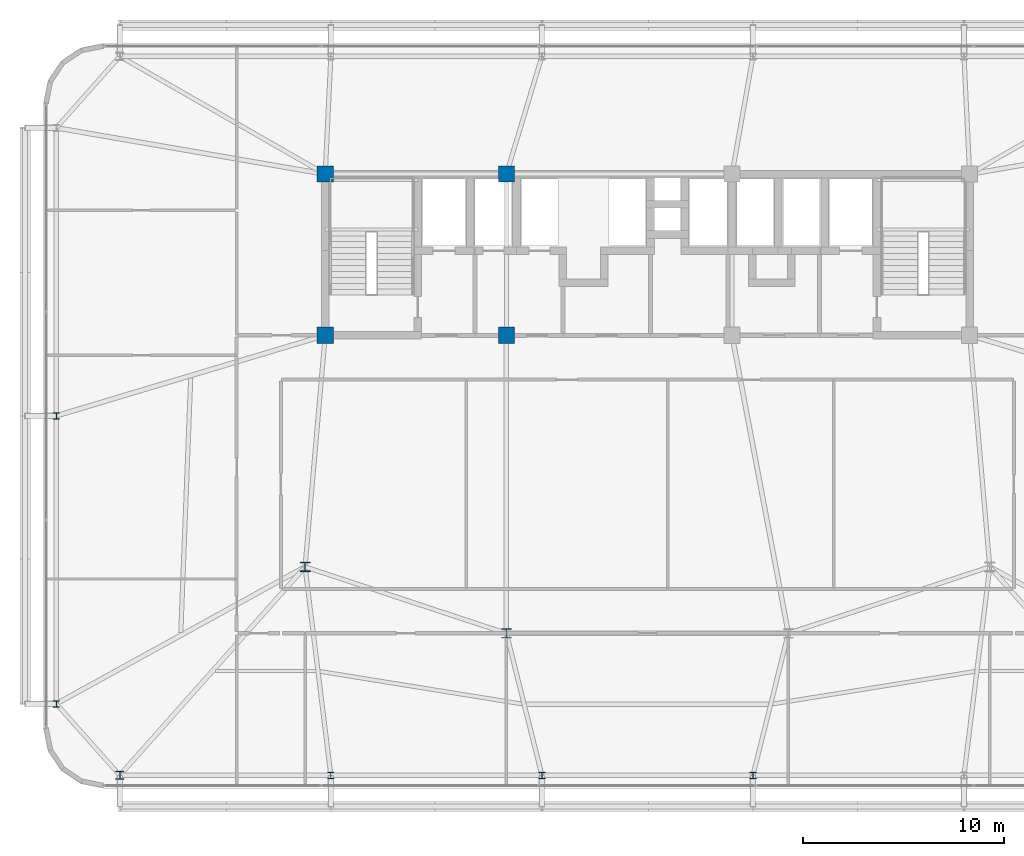
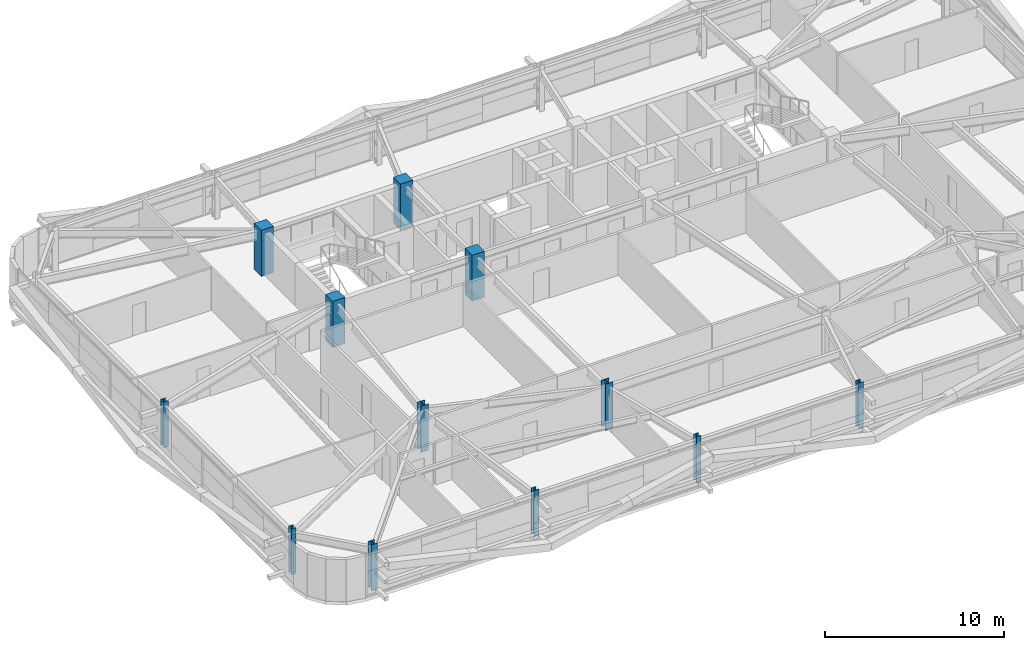
# One storey, part 1 of 45: 12 columns.
"""IFC4 building model written with IfcOpenShell, lengths in metres."""

from ifc_helpers import new_model, si_unit, direction, frame, origin, origin_2d, place, context, subcontext, project, spatial, rectangle, i_section, extrude, source, transform, mapped, material, material_profile, profile_set, type_object, element, save


model = new_model("IFC4")

# Units and contexts
model_context = context("Model", 3, precision=1e-05, world=origin(), true_north=direction((0.0, 1.0)))
body_context = subcontext(model_context, "Body", "Model", "MODEL_VIEW")
ifc_project = project(units=[si_unit("LENGTHUNIT", "METRE"), si_unit("AREAUNIT", "SQUARE_METRE"), si_unit("VOLUMEUNIT", "CUBIC_METRE"), si_unit("PLANEANGLEUNIT", "RADIAN"), si_unit("MASSUNIT", "GRAM", prefix="KILO")], contexts=[model_context])

# Site, building, storey
site_placement = place(None, origin())
site = spatial("IfcSite", under=ifc_project, at=site_placement, CompositionType="ELEMENT")
building_placement = place(site_placement, origin())
building = spatial("IfcBuilding", under=site, at=building_placement, Name="Taldren Reach Tower", CompositionType="ELEMENT")
storey_placement = place(building_placement, frame((0.0, 0.0, 57.75)))
storey = spatial("IfcBuildingStorey", under=building, at=storey_placement, Name="L17", CompositionType="ELEMENT", Elevation=57.75)

# Columns
ifc_material_1 = material(Name="Steel Gr 350 (350PLUS)", Category="steel")
ifc_material_profile_1 = material_profile(ifc_material_1, i_section(OverallWidth=0.5, OverallDepth=0.47998046875, WebThickness=0.028076171875, FlangeThickness=0.0439453125, at=origin_2d()), Name="500WC440")
ifc_profile_set_1 = profile_set([ifc_material_profile_1], Name="Steel Gr 350 (350PLUS)")
column_type_1 = type_object("IfcColumnType", Name="COL-WC500A", PredefinedType="COLUMN", material=ifc_profile_set_1)
shared_shape_1 = source(origin(), body_context, "Body", "SweptSolid", [
    extrude(i_section(OverallWidth=0.5, OverallDepth=0.47998046875, WebThickness=0.028076171875, FlangeThickness=0.0439453125, at=origin_2d()), origin(), (0.0, 0.0, 1.0), 3.14990234375),
])
column_1_placement = place(storey_placement, frame((28.0, 9.199951171875, 0.0), z_axis=(0.0, 0.0, 1.0), x_axis=(1.0, 0.0, 0.0)))
element("IfcColumn", 1, at=column_1_placement, inside=storey, type_object=column_type_1, Name="Mega column MC-PJW L17", PredefinedType="COLUMN", context=body_context, shape_type="MappedRepresentation", body=[
    mapped(shared_shape_1, transform((0.0, 0.0, 0.0), scale=1.0)),
])
ifc_material_profile_2 = material_profile(ifc_material_1, i_section(OverallWidth=0.39990234375, OverallDepth=0.39599609375, WebThickness=0.02197265625, FlangeThickness=0.033935546875, at=origin_2d()), Name="400WC270")
ifc_profile_set_2 = profile_set([ifc_material_profile_2], Name="Steel Gr 350 (350PLUS)")
column_type_2 = type_object("IfcColumnType", Name="COL-WC400", PredefinedType="COLUMN", material=ifc_profile_set_2)
shared_shape_2 = source(origin(), body_context, "Body", "SweptSolid", [
    extrude(i_section(OverallWidth=0.39990234375, OverallDepth=0.39599609375, WebThickness=0.02197265625, FlangeThickness=0.033935546875, at=origin_2d()), origin(), (0.0, 0.0, 1.0), 3.14990234375),
])
column_2_placement = place(storey_placement, frame((8.800048828125, 2.14990234375, 0.0), z_axis=(0.0, 0.0, 1.0), x_axis=(1.0, 0.0, 0.0)))
element("IfcColumn", 2, at=column_2_placement, inside=storey, type_object=column_type_2, Name="Block B1 perimeter column S1 L17", PredefinedType="COLUMN", context=body_context, shape_type="MappedRepresentation", body=[
    mapped(shared_shape_2, transform((0.0, 0.0, 0.0), scale=1.0)),
])
ifc_material_profile_3 = material_profile(ifc_material_1, i_section(OverallWidth=0.31103515625, OverallDepth=0.326904296875, WebThickness=0.015625, FlangeThickness=0.02490234375, at=origin_2d()), Name="310UC158")
ifc_profile_set_3 = profile_set([ifc_material_profile_3], Name="Steel Gr 350 (350PLUS)")
column_type_3 = type_object("IfcColumnType", Name="COL-UC310A", PredefinedType="COLUMN", material=ifc_profile_set_3)
shared_shape_3 = source(origin(), body_context, "Body", "SweptSolid", [
    extrude(i_section(OverallWidth=0.31103515625, OverallDepth=0.326904296875, WebThickness=0.015625, FlangeThickness=0.02490234375, at=origin_2d()), origin(), (0.0, 0.0, 1.0), 3.14990234375),
])
for number, where, z_axis, x_axis, name in (
    (3, (19.280029296875, 2.14990234375, 0.0), (0.0, 0.0, 1.0), (1.0, 0.0, 0.0), "Block B1 perimeter column S2 L17"),
    (4, (29.760009765625, 2.14990234375, 0.0), (0.0, 0.0, 1.0), (1.0, 0.0, 0.0), "Block B1 perimeter column S3 L17"),
    (5, (40.239990234375, 2.14990234375, 0.0), (0.0, 0.0, 1.0), (1.0, 0.0, 0.0), "Block B1 perimeter column S4 L17"),
    (6, (5.64990234375, 5.699951171875, 0.0), (0.0, 0.0, 1.0), (1.0, 0.0, 0.0), "Block B1 perimeter column W1 L17"),
    (7, (5.64990234375, 20.0, 0.0), (0.0, 0.0, 1.0), (1.0, 0.0, 0.0), "Block B1 perimeter column W2 L17"),
):
    element("IfcColumn", number, at=place(storey_placement, frame(where, z_axis=z_axis, x_axis=x_axis)), inside=storey, type_object=column_type_3, Name=name, PredefinedType="COLUMN", context=body_context, shape_type="MappedRepresentation", body=[
        mapped(shared_shape_3, transform((0.0, 0.0, 0.0), scale=1.0)),
    ])
ifc_material_2 = material(Name="Concrete S65 (65 MPa)", Category="concrete")
ifc_material_profile_4 = material_profile(ifc_material_2, rectangle(XDim=0.800048828125, YDim=0.800048828125, at=origin_2d()), Name="RC-800x800")
ifc_profile_set_4 = profile_set([ifc_material_profile_4], Name="Concrete S65 (65 MPa)")
column_type_4 = type_object("IfcColumnType", Name="COL-RC800", PredefinedType="COLUMN", material=ifc_profile_set_4)
shared_shape_4 = source(origin(), body_context, "Body", "SweptSolid", [
    extrude(rectangle(XDim=0.800048828125, YDim=0.800048828125, at=origin_2d()), origin(), (0.0, 0.0, 1.0), 3.14990234375),
])
for number, where, z_axis, x_axis, name in (
    (8, (19.0, 24.0, 0.0), (0.0, 0.0, 1.0), (1.0, 0.0, 0.0), "Mega column MC-C1 L17"),
    (9, (28.0, 24.0, 0.0), (0.0, 0.0, 1.0), (1.0, 0.0, 0.0), "Mega column MC-C2 L17"),
    (10, (19.0, 32.0, 0.0), (0.0, 0.0, 1.0), (1.0, 0.0, 0.0), "Mega column MC-C5 L17"),
    (11, (28.0, 32.0, 0.0), (0.0, 0.0, 1.0), (1.0, 0.0, 0.0), "Mega column MC-C6 L17"),
):
    element("IfcColumn", number, at=place(storey_placement, frame(where, z_axis=z_axis, x_axis=x_axis)), inside=storey, type_object=column_type_4, Name=name, PredefinedType="COLUMN", context=body_context, shape_type="MappedRepresentation", body=[
        mapped(shared_shape_4, transform((0.0, 0.0, 0.0), scale=1.0)),
    ])
ifc_material_profile_5 = material_profile(ifc_material_1, i_section(OverallWidth=0.5, OverallDepth=0.464111328125, WebThickness=0.02197265625, FlangeThickness=0.033935546875, at=origin_2d()), Name="500WC340")
ifc_profile_set_5 = profile_set([ifc_material_profile_5], Name="Steel Gr 350 (350PLUS)")
column_type_5 = type_object("IfcColumnType", Name="COL-WC500B", PredefinedType="COLUMN", material=ifc_profile_set_5)
shared_shape_5 = source(origin(), body_context, "Body", "SweptSolid", [
    extrude(i_section(OverallWidth=0.5, OverallDepth=0.464111328125, WebThickness=0.02197265625, FlangeThickness=0.033935546875, at=origin_2d()), origin(), (0.0, 0.0, 1.0), 3.14990234375),
])
column_3_placement = place(storey_placement, frame((18.0, 12.5, 0.0), z_axis=(0.0, 0.0, 1.0), x_axis=(1.0, 0.0, 0.0)))
element("IfcColumn", 12, at=column_3_placement, inside=storey, type_object=column_type_5, Name="Mega column MC-SW L17", PredefinedType="COLUMN", context=body_context, shape_type="MappedRepresentation", body=[
    mapped(shared_shape_5, transform((0.0, 0.0, 0.0), scale=1.0)),
])

save(model, "model.ifc")
